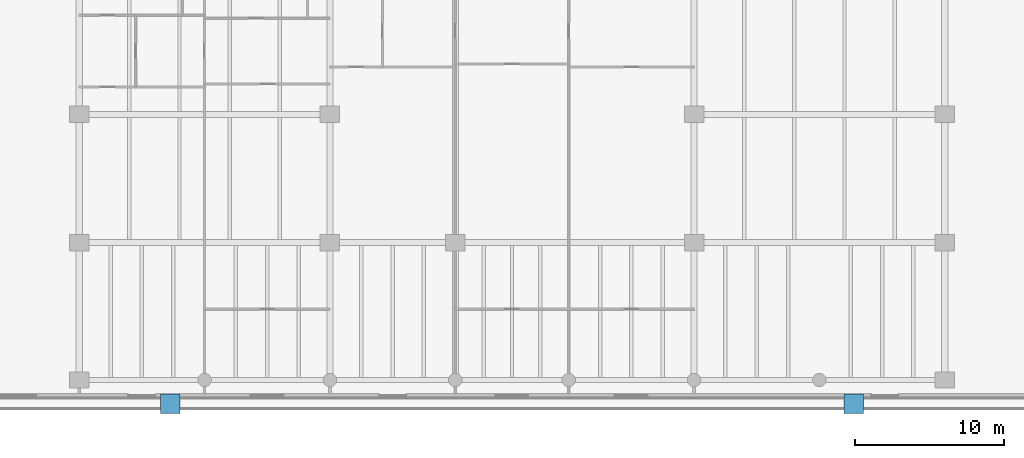
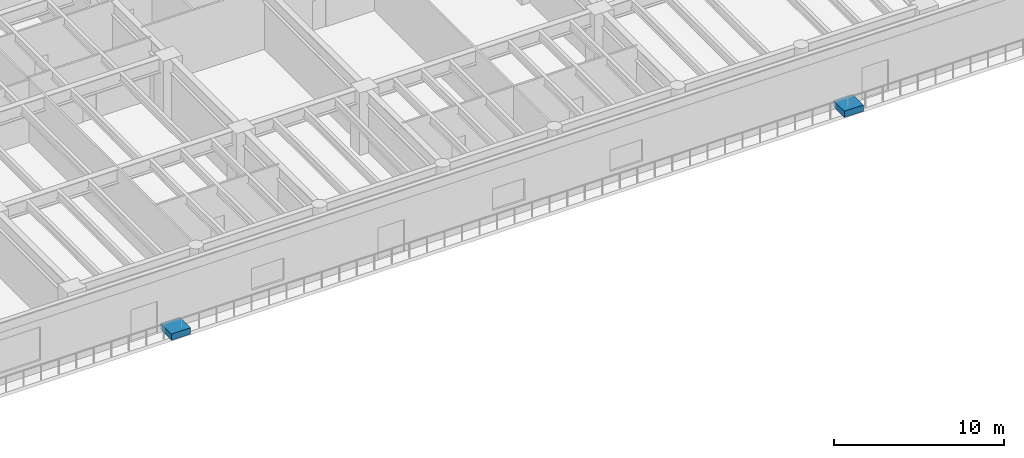
# One storey, part 11 of 14: 2 discrete accessories.
"""IFC4 building model written with IfcOpenShell, lengths in metres."""

from ifc_helpers import new_model, si_unit, direction, frame, origin, origin_2d, place, context, subcontext, project, spatial, rectangle, extrude, material, type_object, element, save


model = new_model("IFC4")

# Units and contexts
model_context = context("Model", 3, precision=1e-05, world=origin(), true_north=direction((0.0, 1.0)))
body_context = subcontext(model_context, "Body", "Model", "MODEL_VIEW")
ifc_project = project(units=[si_unit("LENGTHUNIT", "METRE"), si_unit("AREAUNIT", "SQUARE_METRE"), si_unit("VOLUMEUNIT", "CUBIC_METRE"), si_unit("PLANEANGLEUNIT", "RADIAN"), si_unit("MASSUNIT", "GRAM", prefix="KILO")], contexts=[model_context])

# Site, building, storey
site_placement = place(None, origin())
site = spatial("IfcSite", under=ifc_project, at=site_placement, CompositionType="ELEMENT")
building_placement = place(site_placement, origin())
building = spatial("IfcBuilding", under=site, at=building_placement, Name="Caelmar Bay Residences", CompositionType="ELEMENT")
storey_placement = place(building_placement, frame((0.0, 0.0, 15.0)))
storey = spatial("IfcBuildingStorey", under=building, at=storey_placement, Name="L03", CompositionType="ELEMENT", Elevation=15.0)

# Discrete accessories
ifc_material = material(Name="Precast concrete f'c 40 MPa (6,000 psi)", Category="concrete")
discrete_accessory_type = type_object("IfcDiscreteAccessoryType", Name="STR-PLANTER-KERB-450", PredefinedType="USERDEFINED", material=ifc_material)
for number, where, z_axis, x_axis, name in (
    (1, (16.0, 1.39990234375, 0.0), (0.0, 0.0, 1.0), (1.0, 0.0, 0.0), "L03 Sky-Terrace Structural Tree Planter Kerb 1"),
    (2, (61.800048828125, 1.39990234375, 0.0), (0.0, 0.0, 1.0), (1.0, 0.0, 0.0), "L03 Sky-Terrace Structural Tree Planter Kerb 2"),
):
    element("IfcDiscreteAccessory", number, at=place(storey_placement, frame(where, z_axis=z_axis, x_axis=x_axis)), inside=storey, type_object=discrete_accessory_type, Name=name, ObjectType="PLANTER", PredefinedType="USERDEFINED", context=body_context, shape_type="SweptSolid", body=[
        extrude(rectangle(XDim=1.300048828125, YDim=1.300048828125, at=origin_2d()), origin(), (0.0, 0.0, 1.0), 0.449951171875),
    ])

save(model, "model.ifc")
